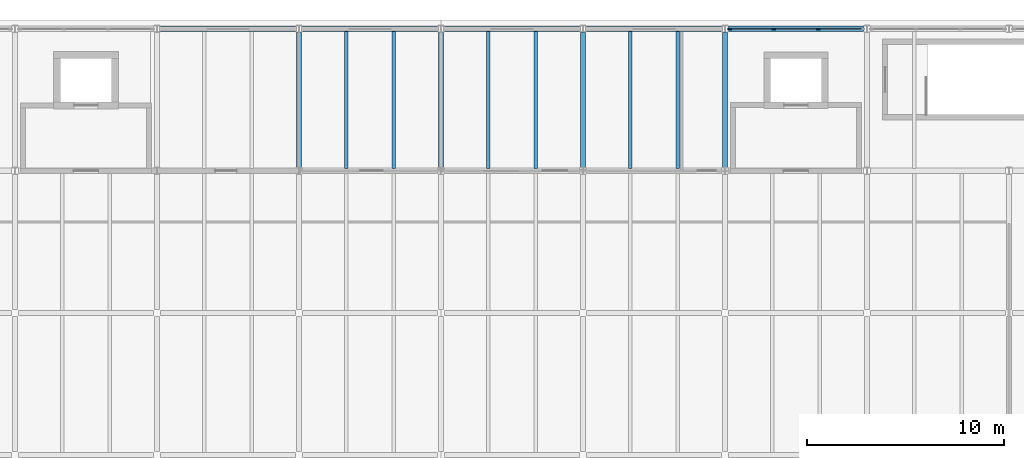
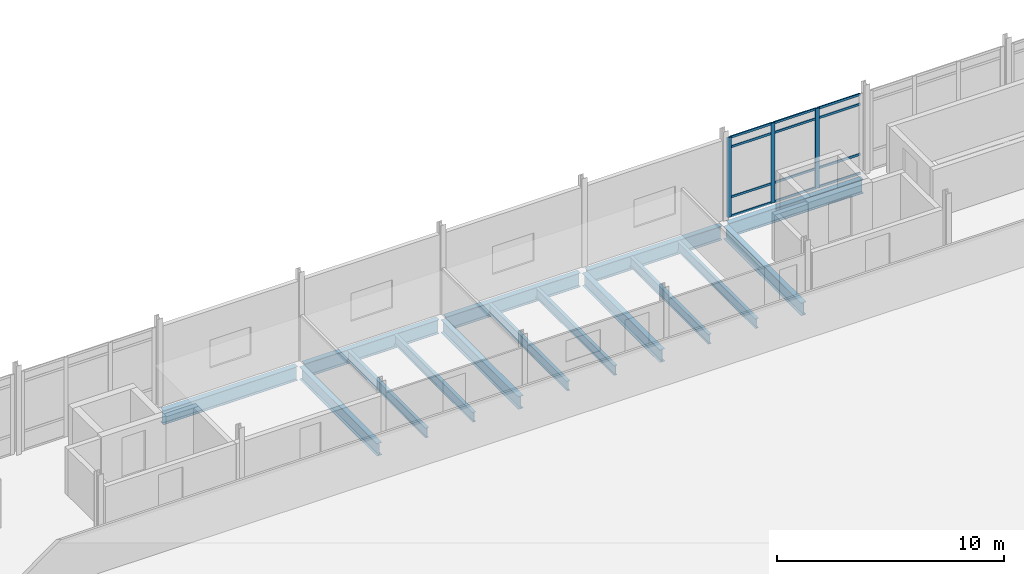
# One storey, part 14 of 25: 15 beams, 15 members, 1 element without a shape of its own.
"""IFC4 building model written with IfcOpenShell, lengths in metres."""

from ifc_helpers import new_model, si_unit, direction, frame, origin, origin_2d, place, context, subcontext, project, spatial, rectangle, i_section, extrude, material, material_profile, profile_set, type_object, element, aggregate, save


model = new_model("IFC4")

# Units and contexts
model_context = context("Model", 3, precision=1e-05, world=origin(), true_north=direction((0.0, 1.0)))
body_context = subcontext(model_context, "Body", "Model", "MODEL_VIEW")
ifc_project = project(units=[si_unit("LENGTHUNIT", "METRE"), si_unit("AREAUNIT", "SQUARE_METRE"), si_unit("VOLUMEUNIT", "CUBIC_METRE"), si_unit("PLANEANGLEUNIT", "RADIAN"), si_unit("MASSUNIT", "GRAM", prefix="KILO")], contexts=[model_context])

# Site, building, storey
site_placement = place(None, origin())
site = spatial("IfcSite", under=ifc_project, at=site_placement, CompositionType="ELEMENT")
building_placement = place(site_placement, origin())
building = spatial("IfcBuilding", under=site, at=building_placement, Name="Vaelcorin Mobility Hub", CompositionType="ELEMENT")
storey_placement = place(building_placement, frame((0.0, 0.0, 21.0)))
storey = spatial("IfcBuildingStorey", under=building, at=storey_placement, Name="L05", CompositionType="ELEMENT", Elevation=21.0)

# Beams
ifc_material_1 = material(Name="Steel ASTM A992 Grade 50", Category="steel")
ifc_material_profile_1 = material_profile(ifc_material_1, i_section(OverallWidth=0.166015625, OverallDepth=0.528076171875, WebThickness=0.009765625, FlangeThickness=0.013671875, FilletRadius=0.013916015625, at=origin_2d()), Name="W21X50")
ifc_profile_set_1 = profile_set([ifc_material_profile_1], Name="Steel ASTM A992 Grade 50")
beam_type_1 = type_object("IfcBeamType", Name="BM-W21X50", PredefinedType="JOIST", material=ifc_profile_set_1)
for number, where, z_axis, x_axis, name in (
    (1, (74.39990234375, 112.931884765625, -0.52392578125), (0.0, 1.0, 0.0), (-1.0, 0.0, 0.0), "L05 Beam V3-L05-J-05-05-1"),
    (2, (76.800048828125, 112.931884765625, -0.52392578125), (0.0, 1.0, 0.0), (-1.0, 0.0, 0.0), "L05 Beam V3-L05-J-05-05-2"),
    (3, (81.60009765625, 112.931884765625, -0.52392578125), (0.0, 1.0, 0.0), (-1.0, 0.0, 0.0), "L05 Beam V3-L05-J-06-05-1"),
    (4, (84.0, 112.931884765625, -0.52392578125), (0.0, 1.0, 0.0), (-1.0, 0.0, 0.0), "L05 Beam V3-L05-J-06-05-2"),
    (5, (88.800048828125, 112.931884765625, -0.52392578125), (0.0, 1.0, 0.0), (-1.0, 0.0, 0.0), "L05 Beam V3-L05-J-07-05-1"),
    (6, (91.199951171875, 112.931884765625, -0.52392578125), (0.0, 1.0, 0.0), (-1.0, 0.0, 0.0), "L05 Beam V3-L05-J-07-05-2"),
):
    element("IfcBeam", number, at=place(storey_placement, frame(where, z_axis=z_axis, x_axis=x_axis)), inside=storey, type_object=beam_type_1, Name=name, PredefinedType="JOIST", context=body_context, shape_type="SweptSolid", body=[
        extrude(i_section(OverallWidth=0.166015625, OverallDepth=0.528076171875, WebThickness=0.009765625, FlangeThickness=0.013671875, FilletRadius=0.013916015625, at=origin_2d()), origin(), (0.0, 0.0, 1.0), 6.93603515625),
    ])
ifc_material_profile_2 = material_profile(ifc_material_1, i_section(OverallWidth=0.25390625, OverallDepth=0.68310546875, WebThickness=0.012451171875, FlangeThickness=0.018798828125, FilletRadius=0.01611328125, at=origin_2d()), Name="W27X94")
ifc_profile_set_2 = profile_set([ifc_material_profile_2], Name="Steel ASTM A992 Grade 50")
beam_type_2 = type_object("IfcBeamType", Name="BM-W27X94", PredefinedType="BEAM", material=ifc_profile_set_2)
for number, where, z_axis, x_axis, name in (
    (7, (72.0, 112.97998046875, -0.60205078125), (0.0, 1.0, 0.0), (-1.0, 0.0, 0.0), "L05 Beam V3-L05-GY-05-05"),
    (8, (79.199951171875, 112.97998046875, -0.60205078125), (0.0, 1.0, 0.0), (-1.0, 0.0, 0.0), "L05 Beam V3-L05-GY-06-05"),
    (9, (86.39990234375, 112.97998046875, -0.60205078125), (0.0, 1.0, 0.0), (-1.0, 0.0, 0.0), "L05 Beam V3-L05-GY-07-05"),
    (10, (93.60009765625, 112.97998046875, -0.60205078125), (0.0, 1.0, 0.0), (-1.0, 0.0, 0.0), "L05 Beam V3-L05-GY-08-05"),
):
    element("IfcBeam", number, at=place(storey_placement, frame(where, z_axis=z_axis, x_axis=x_axis)), inside=storey, type_object=beam_type_2, Name=name, PredefinedType="BEAM", context=body_context, shape_type="SweptSolid", body=[
        extrude(i_section(OverallWidth=0.25390625, OverallDepth=0.68310546875, WebThickness=0.012451171875, FlangeThickness=0.018798828125, FilletRadius=0.01611328125, at=origin_2d()), origin(), (0.0, 0.0, 1.0), 6.843994140625),
    ])
ifc_material_profile_3 = material_profile(ifc_material_1, i_section(OverallWidth=0.26708984375, OverallDepth=0.757080078125, WebThickness=0.013916015625, FlangeThickness=0.019287109375, FilletRadius=0.01708984375, at=origin_2d()), Name="W30X108")
ifc_profile_set_3 = profile_set([ifc_material_profile_3], Name="Steel ASTM A992 Grade 50")
beam_type_3 = type_object("IfcBeamType", Name="BM-W30X108", PredefinedType="BEAM", material=ifc_profile_set_3)
for number, where, z_axis, x_axis, name in (
    (11, (64.98193359375, 120.0, -0.637939453125), (1.0, 0.0, 0.0), (0.0, 1.0, 0.0), "L05 Beam V3-L05-GX-06-04"),
    (12, (72.181884765625, 120.0, -0.637939453125), (1.0, 0.0, 0.0), (0.0, 1.0, 0.0), "L05 Beam V3-L05-GX-06-05"),
):
    element("IfcBeam", number, at=place(storey_placement, frame(where, z_axis=z_axis, x_axis=x_axis)), inside=storey, type_object=beam_type_3, Name=name, PredefinedType="BEAM", context=body_context, shape_type="SweptSolid", body=[
        extrude(i_section(OverallWidth=0.26708984375, OverallDepth=0.757080078125, WebThickness=0.013916015625, FlangeThickness=0.019287109375, FilletRadius=0.01708984375, at=origin_2d()), origin(), (0.0, 0.0, 1.0), 6.836181640625),
    ])
for number, where, z_axis, x_axis, name in (
    (13, (79.382080078125, 120.0, -0.637939453125), (1.0, 0.0, 0.0), (0.0, 1.0, 0.0), "L05 Beam V3-L05-GX-06-06"),
    (14, (86.58203125, 120.0, -0.637939453125), (1.0, 0.0, 0.0), (0.0, 1.0, 0.0), "L05 Beam V3-L05-GX-06-07"),
    (15, (93.781982421875, 120.0, -0.637939453125), (1.0, 0.0, 0.0), (0.0, 1.0, 0.0), "L05 Beam V3-L05-GX-06-08"),
):
    element("IfcBeam", number, at=place(storey_placement, frame(where, z_axis=z_axis, x_axis=x_axis)), inside=storey, type_object=beam_type_3, Name=name, PredefinedType="BEAM", context=body_context, shape_type="SweptSolid", body=[
        extrude(i_section(OverallWidth=0.26708984375, OverallDepth=0.757080078125, WebThickness=0.013916015625, FlangeThickness=0.019287109375, FilletRadius=0.01708984375, at=origin_2d()), origin(), (0.0, 0.0, 1.0), 6.8359375),
    ])

# Curtain wall, members
ifc_material_2 = material(Name="Anodised aluminium 6063-T6", Category="aluminium")
curtain_wall_type = type_object("IfcCurtainWallType", Name="CW-SPT-B", PredefinedType="NOTDEFINED", material=ifc_material_2)
curtain_wall_placement = place(storey_placement, origin())
curtain_wall = element("IfcCurtainWall", 16, at=curtain_wall_placement, inside=storey, type_object=curtain_wall_type, Name="L05 Curtain Wall CW-V3-N-08", PredefinedType="NOTDEFINED")
ifc_material_profile_4 = material_profile(ifc_material_2, rectangle(XDim=0.070068359375, YDim=0.199951171875, at=origin_2d()), Name="ALU-M70X200")
ifc_profile_set_4 = profile_set([ifc_material_profile_4], Name="Anodised aluminium 6063-T6")
member_type_1 = type_object("IfcMemberType", Name="CW-MULL-200", PredefinedType="MULLION", material=ifc_profile_set_4)
member_1_placement = place(storey_placement, frame((93.85009765625, 120.0, 0.0), z_axis=(0.0, 0.0, 1.0), x_axis=(0.0, 1.0, 0.0)))
member_1 = element("IfcMember", 17, at=member_1_placement, type_object=member_type_1, Name="CW6 mullion 1", PredefinedType="MULLION", context=body_context, shape_type="SweptSolid", body=[
    extrude(rectangle(XDim=0.070068359375, YDim=0.199951171875, at=origin_2d()), origin(), (0.0, 0.0, 1.0), 4.300048828125),
])
member_2_placement = place(storey_placement, frame((96.0732421875, 120.0, 0.0), z_axis=(0.0, 0.0, 1.0), x_axis=(0.0, 1.0, 0.0)))
member_2 = element("IfcMember", 18, at=member_2_placement, type_object=member_type_1, Name="CW6 mullion 2", PredefinedType="MULLION", context=body_context, shape_type="SweptSolid", body=[
    extrude(rectangle(XDim=0.070068359375, YDim=0.199951171875, at=origin_2d()), origin(), (0.0, 0.0, 1.0), 4.300048828125),
])
member_3_placement = place(storey_placement, frame((98.32666015625, 120.0, 0.0), z_axis=(0.0, 0.0, 1.0), x_axis=(0.0, 1.0, 0.0)))
member_3 = element("IfcMember", 19, at=member_3_placement, type_object=member_type_1, Name="CW6 mullion 3", PredefinedType="MULLION", context=body_context, shape_type="SweptSolid", body=[
    extrude(rectangle(XDim=0.070068359375, YDim=0.199951171875, at=origin_2d()), origin(), (0.0, 0.0, 1.0), 4.300048828125),
])
ifc_material_profile_5 = material_profile(ifc_material_2, rectangle(XDim=0.06005859375, YDim=0.1201171875, at=origin_2d()), Name="ALU-T60X120")
ifc_profile_set_5 = profile_set([ifc_material_profile_5], Name="Anodised aluminium 6063-T6")
member_type_2 = type_object("IfcMemberType", Name="CW-TRAN-140", PredefinedType="USERDEFINED", material=ifc_profile_set_5)
member_4_placement = place(storey_placement, frame((93.8798828125, 120.0, 0.030029296875), z_axis=(1.0, 0.0, 0.0), x_axis=(0.0, 1.0, 0.0)))
member_4 = element("IfcMember", 20, at=member_4_placement, type_object=member_type_2, Name="CW6 transom 1.1", ObjectType="TRANSOM", PredefinedType="USERDEFINED", context=body_context, shape_type="SweptSolid", body=[
    extrude(rectangle(XDim=0.06005859375, YDim=0.1201171875, at=origin_2d()), origin(), (0.0, 0.0, 1.0), 2.163330078125),
])
member_5_placement = place(storey_placement, frame((93.8798828125, 120.0, 1.050048828125), z_axis=(1.0, 0.0, 0.0), x_axis=(0.0, 1.0, 0.0)))
member_5 = element("IfcMember", 21, at=member_5_placement, type_object=member_type_2, Name="CW6 transom 1.2", ObjectType="TRANSOM", PredefinedType="USERDEFINED", context=body_context, shape_type="SweptSolid", body=[
    extrude(rectangle(XDim=0.06005859375, YDim=0.1201171875, at=origin_2d()), origin(), (0.0, 0.0, 1.0), 2.163330078125),
])
member_6_placement = place(storey_placement, frame((93.8798828125, 120.0, 3.75), z_axis=(1.0, 0.0, 0.0), x_axis=(0.0, 1.0, 0.0)))
member_6 = element("IfcMember", 22, at=member_6_placement, type_object=member_type_2, Name="CW6 transom 1.3", ObjectType="TRANSOM", PredefinedType="USERDEFINED", context=body_context, shape_type="SweptSolid", body=[
    extrude(rectangle(XDim=0.06005859375, YDim=0.1201171875, at=origin_2d()), origin(), (0.0, 0.0, 1.0), 2.163330078125),
])
member_7_placement = place(storey_placement, frame((93.8798828125, 120.0, 4.27001953125), z_axis=(1.0, 0.0, 0.0), x_axis=(0.0, 1.0, 0.0)))
member_7 = element("IfcMember", 23, at=member_7_placement, type_object=member_type_2, Name="CW6 transom 1.4", ObjectType="TRANSOM", PredefinedType="USERDEFINED", context=body_context, shape_type="SweptSolid", body=[
    extrude(rectangle(XDim=0.06005859375, YDim=0.1201171875, at=origin_2d()), origin(), (0.0, 0.0, 1.0), 2.163330078125),
])
member_8_placement = place(storey_placement, frame((96.103271484375, 120.0, 0.030029296875), z_axis=(1.0, 0.0, 0.0), x_axis=(0.0, 1.0, 0.0)))
member_8 = element("IfcMember", 24, at=member_8_placement, type_object=member_type_2, Name="CW6 transom 2.1", ObjectType="TRANSOM", PredefinedType="USERDEFINED", context=body_context, shape_type="SweptSolid", body=[
    extrude(rectangle(XDim=0.06005859375, YDim=0.1201171875, at=origin_2d()), origin(), (0.0, 0.0, 1.0), 2.193359375),
])
member_9_placement = place(storey_placement, frame((96.103271484375, 120.0, 1.050048828125), z_axis=(1.0, 0.0, 0.0), x_axis=(0.0, 1.0, 0.0)))
member_9 = element("IfcMember", 25, at=member_9_placement, type_object=member_type_2, Name="CW6 transom 2.2", ObjectType="TRANSOM", PredefinedType="USERDEFINED", context=body_context, shape_type="SweptSolid", body=[
    extrude(rectangle(XDim=0.06005859375, YDim=0.1201171875, at=origin_2d()), origin(), (0.0, 0.0, 1.0), 2.193359375),
])
member_10_placement = place(storey_placement, frame((96.103271484375, 120.0, 3.75), z_axis=(1.0, 0.0, 0.0), x_axis=(0.0, 1.0, 0.0)))
member_10 = element("IfcMember", 26, at=member_10_placement, type_object=member_type_2, Name="CW6 transom 2.3", ObjectType="TRANSOM", PredefinedType="USERDEFINED", context=body_context, shape_type="SweptSolid", body=[
    extrude(rectangle(XDim=0.06005859375, YDim=0.1201171875, at=origin_2d()), origin(), (0.0, 0.0, 1.0), 2.193359375),
])
member_11_placement = place(storey_placement, frame((96.103271484375, 120.0, 4.27001953125), z_axis=(1.0, 0.0, 0.0), x_axis=(0.0, 1.0, 0.0)))
member_11 = element("IfcMember", 27, at=member_11_placement, type_object=member_type_2, Name="CW6 transom 2.4", ObjectType="TRANSOM", PredefinedType="USERDEFINED", context=body_context, shape_type="SweptSolid", body=[
    extrude(rectangle(XDim=0.06005859375, YDim=0.1201171875, at=origin_2d()), origin(), (0.0, 0.0, 1.0), 2.193359375),
])
member_12_placement = place(storey_placement, frame((98.356689453125, 120.0, 0.030029296875), z_axis=(1.0, 0.0, 0.0), x_axis=(0.0, 1.0, 0.0)))
member_12 = element("IfcMember", 28, at=member_12_placement, type_object=member_type_2, Name="CW6 transom 3.1", ObjectType="TRANSOM", PredefinedType="USERDEFINED", context=body_context, shape_type="SweptSolid", body=[
    extrude(rectangle(XDim=0.06005859375, YDim=0.1201171875, at=origin_2d()), origin(), (0.0, 0.0, 1.0), 2.163330078125),
])
member_13_placement = place(storey_placement, frame((98.356689453125, 120.0, 1.050048828125), z_axis=(1.0, 0.0, 0.0), x_axis=(0.0, 1.0, 0.0)))
member_13 = element("IfcMember", 29, at=member_13_placement, type_object=member_type_2, Name="CW6 transom 3.2", ObjectType="TRANSOM", PredefinedType="USERDEFINED", context=body_context, shape_type="SweptSolid", body=[
    extrude(rectangle(XDim=0.06005859375, YDim=0.1201171875, at=origin_2d()), origin(), (0.0, 0.0, 1.0), 2.163330078125),
])
member_14_placement = place(storey_placement, frame((98.356689453125, 120.0, 3.75), z_axis=(1.0, 0.0, 0.0), x_axis=(0.0, 1.0, 0.0)))
member_14 = element("IfcMember", 30, at=member_14_placement, type_object=member_type_2, Name="CW6 transom 3.3", ObjectType="TRANSOM", PredefinedType="USERDEFINED", context=body_context, shape_type="SweptSolid", body=[
    extrude(rectangle(XDim=0.06005859375, YDim=0.1201171875, at=origin_2d()), origin(), (0.0, 0.0, 1.0), 2.163330078125),
])
member_15_placement = place(storey_placement, frame((98.356689453125, 120.0, 4.27001953125), z_axis=(1.0, 0.0, 0.0), x_axis=(0.0, 1.0, 0.0)))
member_15 = element("IfcMember", 31, at=member_15_placement, type_object=member_type_2, Name="CW6 transom 3.4", ObjectType="TRANSOM", PredefinedType="USERDEFINED", context=body_context, shape_type="SweptSolid", body=[
    extrude(rectangle(XDim=0.06005859375, YDim=0.1201171875, at=origin_2d()), origin(), (0.0, 0.0, 1.0), 2.163330078125),
])
aggregate(curtain_wall, [member_1, member_2, member_3, member_4, member_5, member_6, member_7, member_8, member_9, member_10, member_11, member_12, member_13, member_14, member_15])

save(model, "model.ifc")
